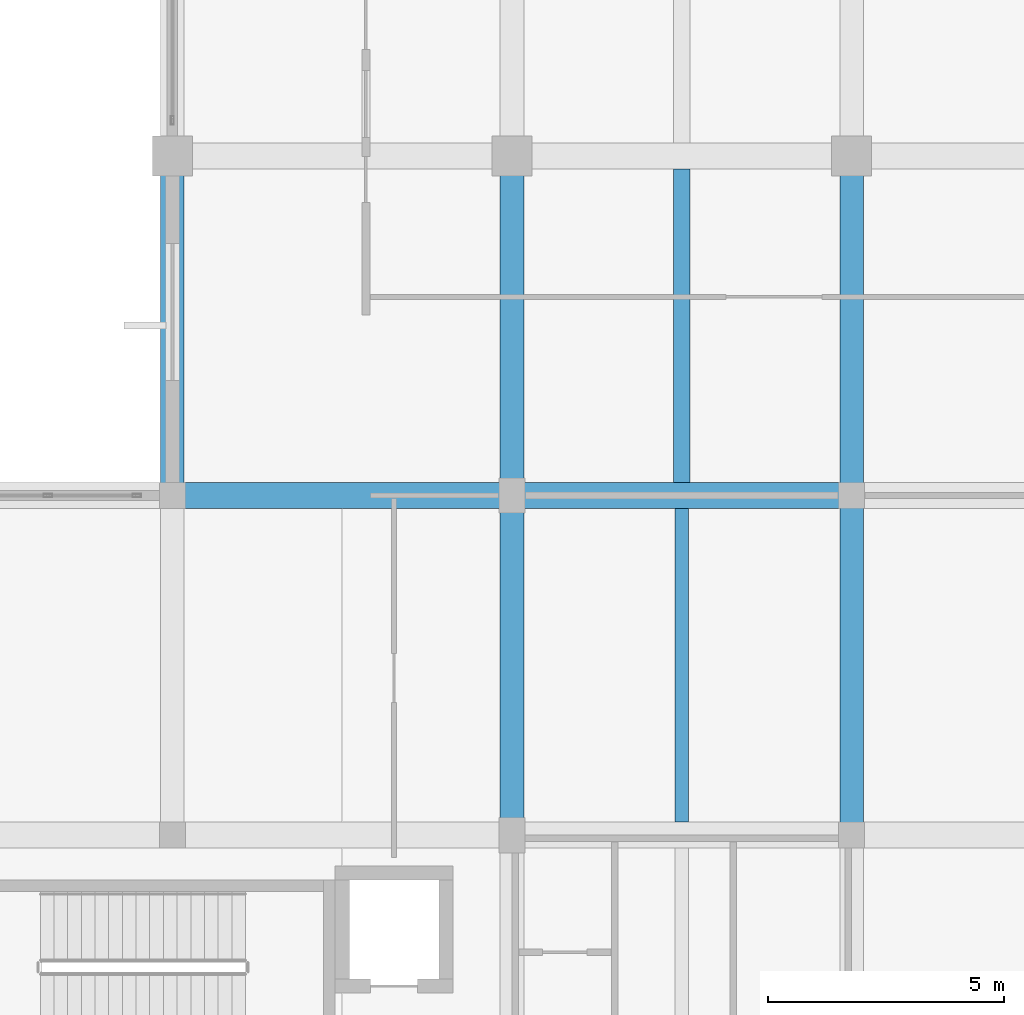
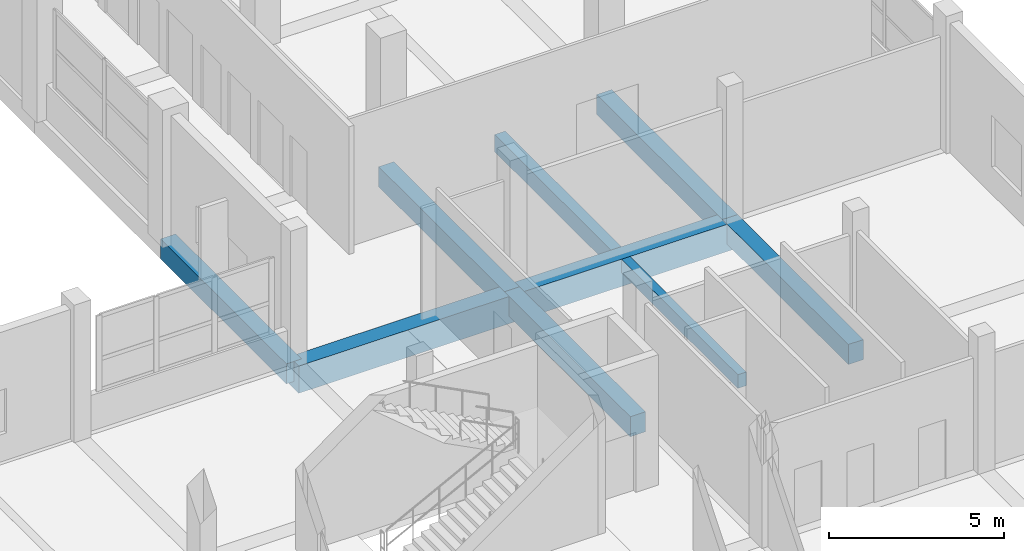
# One storey, part 116 of 181: 9 beams.
"""IFC4 building model written with IfcOpenShell, lengths in metres."""

from ifc_helpers import new_model, si_unit, direction, frame, origin, origin_2d, place, context, subcontext, project, spatial, rectangle, extrude, material, material_profile, profile_set, type_object, element, save


model = new_model("IFC4")

# Units and contexts
model_context = context("Model", 3, precision=1e-05, world=origin(), true_north=direction((0.0, 1.0)))
body_context = subcontext(model_context, "Body", "Model", "MODEL_VIEW")
ifc_project = project(units=[si_unit("LENGTHUNIT", "METRE"), si_unit("AREAUNIT", "SQUARE_METRE"), si_unit("VOLUMEUNIT", "CUBIC_METRE"), si_unit("PLANEANGLEUNIT", "RADIAN"), si_unit("MASSUNIT", "GRAM", prefix="KILO")], contexts=[model_context])

# Site, building, storey
site_placement = place(None, origin())
site = spatial("IfcSite", under=ifc_project, at=site_placement, CompositionType="ELEMENT")
building_placement = place(site_placement, origin())
building = spatial("IfcBuilding", under=site, at=building_placement, Name="Seraya Terrace Polytechnic", CompositionType="ELEMENT")
storey_placement = place(building_placement, frame((0.0, 0.0, 4.800048828125)))
storey = spatial("IfcBuildingStorey", under=building, at=storey_placement, Name="L01", CompositionType="ELEMENT", Elevation=4.800048828125)

# Beams
ifc_material = material(Name="Concrete C40/50", Category="concrete")
ifc_material_profile_1 = material_profile(ifc_material, rectangle(XDim=0.550048828125, YDim=0.949951171875, at=origin_2d()), Name="RC 550x950")
ifc_profile_set_1 = profile_set([ifc_material_profile_1], Name="Concrete C40/50")
beam_type_1 = type_object("IfcBeamType", Name="BM-03", PredefinedType="BEAM", material=ifc_profile_set_1)
for number, where, z_axis, x_axis, name in (
    (1, (144.0, 36.0, -0.47509765625), (1.0, 0.0, 0.0), (0.0, 1.0, 0.0), "Beam BM-03 L01 X (144.0..151.2, 36.0)"),
    (2, (151.199951171875, 36.0, -0.47509765625), (1.0, 0.0, 0.0), (0.0, 1.0, 0.0), "Beam BM-03 L01 X (151.2..158.4, 36.0)"),
):
    element("IfcBeam", number, at=place(storey_placement, frame(where, z_axis=z_axis, x_axis=x_axis)), inside=storey, type_object=beam_type_1, Name=name, PredefinedType="BEAM", context=body_context, shape_type="SweptSolid", body=[
        extrude(rectangle(XDim=0.550048828125, YDim=0.949951171875, at=origin_2d()), origin(), (0.0, 0.0, 1.0), 7.199951171875),
    ])
ifc_material_profile_2 = material_profile(ifc_material, rectangle(XDim=0.5, YDim=0.699951171875, at=origin_2d()), Name="RC 500x700")
ifc_profile_set_2 = profile_set([ifc_material_profile_2], Name="Concrete C40/50")
beam_type_2 = type_object("IfcBeamType", Name="BM-07", PredefinedType="BEAM", material=ifc_profile_set_2)
for number, where, z_axis, x_axis, name in (
    (3, (144.0, 36.0, -0.35009765625), (0.0, 1.0, 0.0), (-1.0, 0.0, 0.0), "Beam BM-07 L01 Y (144.0, 36.0..43.2)"),
    (4, (151.199951171875, 28.800048828125, -0.35009765625), (0.0, 1.0, 0.0), (-1.0, 0.0, 0.0), "Beam BM-07 L01 Y (151.2, 28.8..36.0)"),
    (5, (151.199951171875, 36.0, -0.35009765625), (0.0, 1.0, 0.0), (-1.0, 0.0, 0.0), "Beam BM-07 L01 Y (151.2, 36.0..43.2)"),
    (6, (158.39990234375, 28.800048828125, -0.35009765625), (0.0, 1.0, 0.0), (-1.0, 0.0, 0.0), "Beam BM-07 L01 Y (158.4, 28.8..36.0)"),
    (7, (158.39990234375, 36.0, -0.35009765625), (0.0, 1.0, 0.0), (-1.0, 0.0, 0.0), "Beam BM-07 L01 Y (158.4, 36.0..43.2)"),
):
    element("IfcBeam", number, at=place(storey_placement, frame(where, z_axis=z_axis, x_axis=x_axis)), inside=storey, type_object=beam_type_2, Name=name, PredefinedType="BEAM", context=body_context, shape_type="SweptSolid", body=[
        extrude(rectangle(XDim=0.5, YDim=0.699951171875, at=origin_2d()), origin(), (0.0, 0.0, 1.0), 7.199951171875),
    ])
ifc_material_profile_3 = material_profile(ifc_material, rectangle(XDim=0.35009765625, YDim=0.60009765625, at=origin_2d()), Name="RC 350x600")
ifc_profile_set_3 = profile_set([ifc_material_profile_3], Name="Concrete C40/50")
beam_type_3 = type_object("IfcBeamType", Name="JS-02", PredefinedType="JOIST", material=ifc_profile_set_3)
beam_1_placement = place(storey_placement, frame((154.800048828125, 36.27490234375, -0.300048828125), z_axis=(0.0, 1.0, 0.0), x_axis=(-1.0, 0.0, 0.0)))
element("IfcBeam", 8, at=beam_1_placement, inside=storey, type_object=beam_type_3, Name="Secondary joist JS-02 L01", PredefinedType="JOIST", context=body_context, shape_type="SweptSolid", body=[
    extrude(rectangle(XDim=0.35009765625, YDim=0.60009765625, at=origin_2d()), origin(), (0.0, 0.0, 1.0), 6.650146484375),
])
ifc_material_profile_4 = material_profile(ifc_material, rectangle(XDim=0.280029296875, YDim=0.47998046875, at=origin_2d()), Name="RC 280x480")
ifc_profile_set_4 = profile_set([ifc_material_profile_4], Name="Concrete C40/50")
beam_type_4 = type_object("IfcBeamType", Name="JS-07", PredefinedType="JOIST", material=ifc_profile_set_4)
beam_2_placement = place(storey_placement, frame((154.800048828125, 29.074951171875, -0.239990234375), z_axis=(0.0, 1.0, 0.0), x_axis=(-1.0, 0.0, 0.0)))
element("IfcBeam", 9, at=beam_2_placement, inside=storey, type_object=beam_type_4, Name="Secondary joist JS-07 L01", PredefinedType="JOIST", context=body_context, shape_type="SweptSolid", body=[
    extrude(rectangle(XDim=0.280029296875, YDim=0.47998046875, at=origin_2d()), origin(), (0.0, 0.0, 1.0), 6.650146484375),
])

save(model, "model.ifc")
